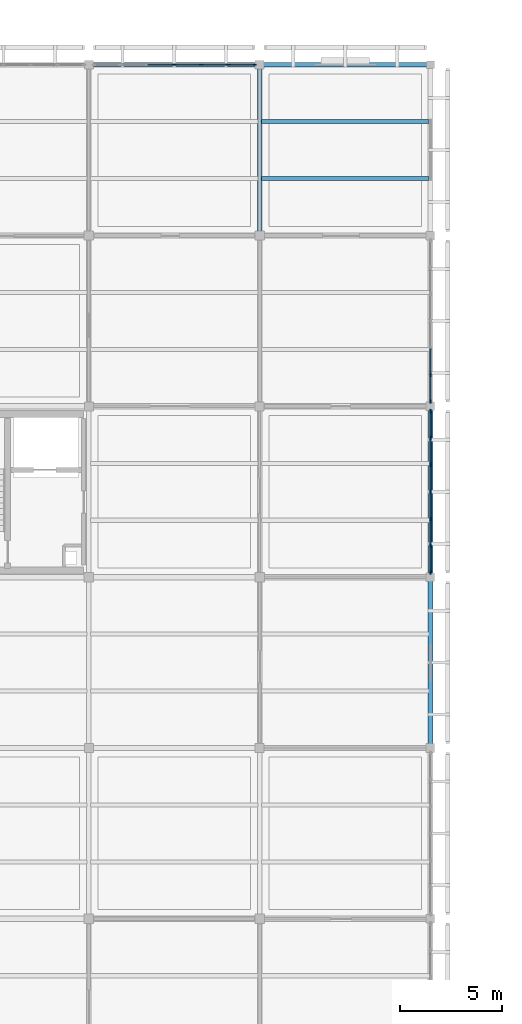
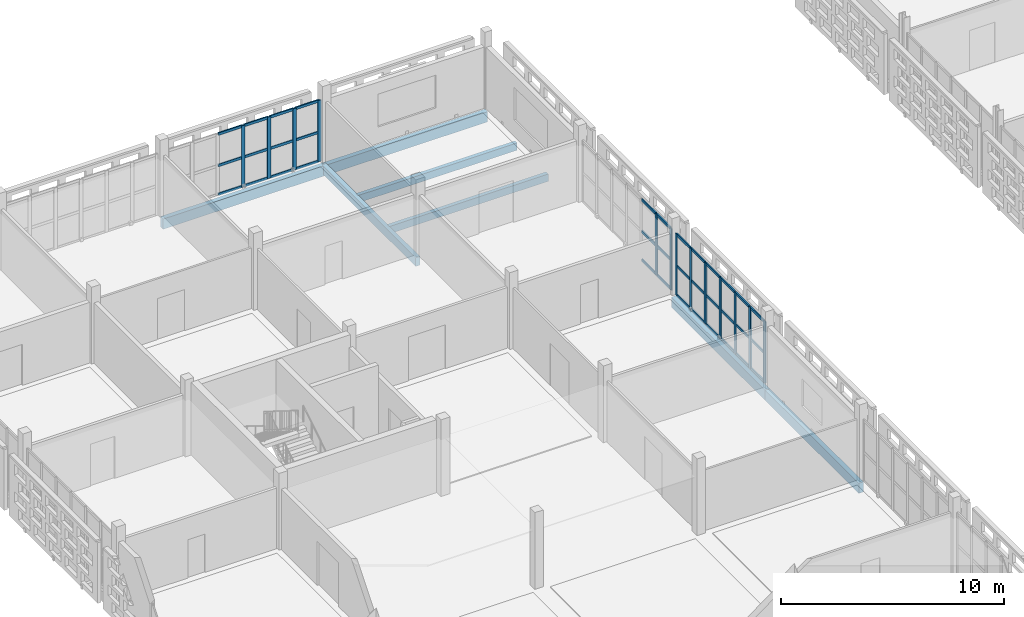
# One storey, part 48 of 140: 49 members, 7 beams, 3 elements without a shape of their own.
"""IFC4 building model written with IfcOpenShell, lengths in metres."""

from ifc_helpers import new_model, si_unit, direction, frame, origin, origin_2d, place, context, subcontext, project, spatial, rectangle, extrude, material, layer, layer_set, material_profile, profile_set, type_object, element, aggregate, save


model = new_model("IFC4")

# Units and contexts
model_context = context("Model", 3, precision=1e-05, world=origin(), true_north=direction((0.0, 1.0)))
body_context = subcontext(model_context, "Body", "Model", "MODEL_VIEW")
ifc_project = project(units=[si_unit("LENGTHUNIT", "METRE"), si_unit("AREAUNIT", "SQUARE_METRE"), si_unit("VOLUMEUNIT", "CUBIC_METRE"), si_unit("PLANEANGLEUNIT", "RADIAN"), si_unit("MASSUNIT", "GRAM", prefix="KILO")], contexts=[model_context])

# Site, building, storey
site_placement = place(None, origin())
site = spatial("IfcSite", under=ifc_project, at=site_placement, CompositionType="ELEMENT")
building_placement = place(site_placement, origin())
building = spatial("IfcBuilding", under=site, at=building_placement, Name="Varnapada Polytechnic", CompositionType="ELEMENT")
storey_placement = place(building_placement, frame((0.0, 0.0, 13.800048828125)))
storey = spatial("IfcBuildingStorey", under=building, at=storey_placement, Name="L03", CompositionType="ELEMENT", Elevation=13.800048828125)

# Beams
ifc_material_1 = material(Name="Glulam GL32h", Category="wood")
ifc_material_profile_1 = material_profile(ifc_material_1, rectangle(XDim=0.199951171875, YDim=0.39990234375, at=origin_2d()), Name="GL 200x400")
ifc_profile_set_1 = profile_set([ifc_material_profile_1], Name="Glulam GL32h")
beam_type_1 = type_object("IfcBeamType", Name="Library/laboratory glulam floor joist GJ-01 (GL 200x400)", PredefinedType="JOIST", material=ifc_profile_set_1)
for number, where, z_axis, x_axis, name in (
    (1, (25.280029296875, 120.39990234375, -0.43994140625), (1.0, 0.0, 0.0), (0.0, 1.0, 0.0), "L03 floor joist 4/15.1"),
    (2, (25.280029296875, 123.199951171875, -0.43994140625), (1.0, 0.0, 0.0), (0.0, 1.0, 0.0), "L03 floor joist 4/15.2"),
):
    element("IfcBeam", number, at=place(storey_placement, frame(where, z_axis=z_axis, x_axis=x_axis)), inside=storey, type_object=beam_type_1, Name=name, PredefinedType="JOIST", context=body_context, shape_type="SweptSolid", body=[
        extrude(rectangle(XDim=0.199951171875, YDim=0.39990234375, at=origin_2d()), origin(), (0.0, 0.0, 1.0), 8.239990234375),
    ])

# Curtain wall, members
ifc_material_2 = material(Name="Double low-E laminated glass", Category="glass")
ifc_layer = layer(ifc_material_2, 0.179931640625)
ifc_layer_set = layer_set([ifc_layer], Name="Double low-E laminated glass")
curtain_wall_type = type_object("IfcCurtainWallType", Name="Curtain Wall CW-03", PredefinedType="NOTDEFINED", material=ifc_layer_set)
curtain_wall_1_placement = place(storey_placement, origin())
curtain_wall_1 = element("IfcCurtainWall", 3, at=curtain_wall_1_placement, inside=storey, type_object=curtain_wall_type, Name="L03 unitised curtain wall CW-03 (215)", PredefinedType="NOTDEFINED")
ifc_material_3 = material(Name="Anodised aluminium", Category="aluminium")
ifc_material_profile_2 = material_profile(ifc_material_3, rectangle(XDim=0.06494140625, YDim=0.179931640625, at=origin_2d()), Name="ALU M65x180")
ifc_profile_set_2 = profile_set([ifc_material_profile_2], Name="Anodised aluminium")
member_type_1 = type_object("IfcMemberType", Name="Mullion M-02", PredefinedType="MULLION", material=ifc_profile_set_2)
member_1_placement = place(storey_placement, frame((21.0, 126.0, 0.0), z_axis=(0.0, 0.0, 1.0), x_axis=(0.0, 1.0, 0.0)))
member_1 = element("IfcMember", 4, at=member_1_placement, type_object=member_type_1, Name="CW-03 mullion 4", PredefinedType="MULLION", context=body_context, shape_type="SweptSolid", body=[
    extrude(rectangle(XDim=0.06494140625, YDim=0.179931640625, at=origin_2d()), origin(), (0.0, 0.0, 1.0), 3.35986328125),
])
member_2_placement = place(storey_placement, frame((22.32666015625, 126.0, 0.0), z_axis=(0.0, 0.0, 1.0), x_axis=(0.0, 1.0, 0.0)))
member_2 = element("IfcMember", 5, at=member_2_placement, type_object=member_type_1, Name="CW-03 mullion 5", PredefinedType="MULLION", context=body_context, shape_type="SweptSolid", body=[
    extrude(rectangle(XDim=0.06494140625, YDim=0.179931640625, at=origin_2d()), origin(), (0.0, 0.0, 1.0), 3.35986328125),
])
member_3_placement = place(storey_placement, frame((23.6533203125, 126.0, 0.0), z_axis=(0.0, 0.0, 1.0), x_axis=(0.0, 1.0, 0.0)))
member_3 = element("IfcMember", 6, at=member_3_placement, type_object=member_type_1, Name="CW-03 mullion 6", PredefinedType="MULLION", context=body_context, shape_type="SweptSolid", body=[
    extrude(rectangle(XDim=0.06494140625, YDim=0.179931640625, at=origin_2d()), origin(), (0.0, 0.0, 1.0), 3.35986328125),
])
member_4_placement = place(storey_placement, frame((24.947509765625, 126.0, 0.0), z_axis=(0.0, 0.0, 1.0), x_axis=(0.0, 1.0, 0.0)))
member_4 = element("IfcMember", 7, at=member_4_placement, type_object=member_type_1, Name="CW-03 mullion 7", PredefinedType="MULLION", context=body_context, shape_type="SweptSolid", body=[
    extrude(rectangle(XDim=0.06494140625, YDim=0.179931640625, at=origin_2d()), origin(), (0.0, 0.0, 1.0), 3.35986328125),
])

curtain_wall_2_placement = place(storey_placement, origin())
curtain_wall_2 = element("IfcCurtainWall", 8, at=curtain_wall_2_placement, inside=storey, type_object=curtain_wall_type, Name="L03 unitised curtain wall CW-03 (221)", PredefinedType="NOTDEFINED")
member_5_placement = place(storey_placement, frame((33.60009765625, 108.95751953125, 0.0), z_axis=(0.0, 0.0, 1.0), x_axis=(1.0, 0.0, 0.0)))
member_5 = element("IfcMember", 9, at=member_5_placement, type_object=member_type_1, Name="CW-03 mullion 1", PredefinedType="MULLION", context=body_context, shape_type="SweptSolid", body=[
    extrude(rectangle(XDim=0.06494140625, YDim=0.179931640625, at=origin_2d()), origin(), (0.0, 0.0, 1.0), 3.35986328125),
])
member_6_placement = place(storey_placement, frame((33.60009765625, 107.659912109375, 0.0), z_axis=(0.0, 0.0, 1.0), x_axis=(1.0, 0.0, 0.0)))
member_6 = element("IfcMember", 10, at=member_6_placement, type_object=member_type_1, Name="CW-03 mullion 2", PredefinedType="MULLION", context=body_context, shape_type="SweptSolid", body=[
    extrude(rectangle(XDim=0.06494140625, YDim=0.179931640625, at=origin_2d()), origin(), (0.0, 0.0, 1.0), 3.35986328125),
])
member_7_placement = place(storey_placement, frame((33.60009765625, 106.330078125, 0.0), z_axis=(0.0, 0.0, 1.0), x_axis=(1.0, 0.0, 0.0)))
member_7 = element("IfcMember", 11, at=member_7_placement, type_object=member_type_1, Name="CW-03 mullion 3", PredefinedType="MULLION", context=body_context, shape_type="SweptSolid", body=[
    extrude(rectangle(XDim=0.06494140625, YDim=0.179931640625, at=origin_2d()), origin(), (0.0, 0.0, 1.0), 3.35986328125),
])
member_8_placement = place(storey_placement, frame((33.60009765625, 105.0, 0.0), z_axis=(0.0, 0.0, 1.0), x_axis=(1.0, 0.0, 0.0)))
member_8 = element("IfcMember", 12, at=member_8_placement, type_object=member_type_1, Name="CW-03 mullion 4", PredefinedType="MULLION", context=body_context, shape_type="SweptSolid", body=[
    extrude(rectangle(XDim=0.06494140625, YDim=0.179931640625, at=origin_2d()), origin(), (0.0, 0.0, 1.0), 3.35986328125),
])
member_9_placement = place(storey_placement, frame((33.60009765625, 103.669921875, 0.0), z_axis=(0.0, 0.0, 1.0), x_axis=(1.0, 0.0, 0.0)))
member_9 = element("IfcMember", 13, at=member_9_placement, type_object=member_type_1, Name="CW-03 mullion 5", PredefinedType="MULLION", context=body_context, shape_type="SweptSolid", body=[
    extrude(rectangle(XDim=0.06494140625, YDim=0.179931640625, at=origin_2d()), origin(), (0.0, 0.0, 1.0), 3.35986328125),
])
member_10_placement = place(storey_placement, frame((33.60009765625, 102.340087890625, 0.0), z_axis=(0.0, 0.0, 1.0), x_axis=(1.0, 0.0, 0.0)))
member_10 = element("IfcMember", 14, at=member_10_placement, type_object=member_type_1, Name="CW-03 mullion 6", PredefinedType="MULLION", context=body_context, shape_type="SweptSolid", body=[
    extrude(rectangle(XDim=0.06494140625, YDim=0.179931640625, at=origin_2d()), origin(), (0.0, 0.0, 1.0), 3.35986328125),
])
member_11_placement = place(storey_placement, frame((33.60009765625, 101.04248046875, 0.0), z_axis=(0.0, 0.0, 1.0), x_axis=(1.0, 0.0, 0.0)))
member_11 = element("IfcMember", 15, at=member_11_placement, type_object=member_type_1, Name="CW-03 mullion 7", PredefinedType="MULLION", context=body_context, shape_type="SweptSolid", body=[
    extrude(rectangle(XDim=0.06494140625, YDim=0.179931640625, at=origin_2d()), origin(), (0.0, 0.0, 1.0), 3.35986328125),
])

curtain_wall_3_placement = place(storey_placement, origin())
curtain_wall_3 = element("IfcCurtainWall", 16, at=curtain_wall_3_placement, inside=storey, type_object=curtain_wall_type, Name="L03 unitised curtain wall CW-03 (222)", PredefinedType="NOTDEFINED")
member_12_placement = place(storey_placement, frame((33.60009765625, 110.739990234375, 0.0), z_axis=(0.0, 0.0, 1.0), x_axis=(1.0, 0.0, 0.0)))
member_12 = element("IfcMember", 17, at=member_12_placement, type_object=member_type_1, Name="CW-03 mullion 6", PredefinedType="MULLION", context=body_context, shape_type="SweptSolid", body=[
    extrude(rectangle(XDim=0.06494140625, YDim=0.179931640625, at=origin_2d()), origin(), (0.0, 0.0, 1.0), 3.35986328125),
])
member_13_placement = place(storey_placement, frame((33.60009765625, 109.4423828125, 0.0), z_axis=(0.0, 0.0, 1.0), x_axis=(1.0, 0.0, 0.0)))
member_13 = element("IfcMember", 18, at=member_13_placement, type_object=member_type_1, Name="CW-03 mullion 7", PredefinedType="MULLION", context=body_context, shape_type="SweptSolid", body=[
    extrude(rectangle(XDim=0.06494140625, YDim=0.179931640625, at=origin_2d()), origin(), (0.0, 0.0, 1.0), 3.35986328125),
])

# Beams
ifc_material_profile_3 = material_profile(ifc_material_1, rectangle(XDim=0.239990234375, YDim=0.56005859375, at=origin_2d()), Name="GL 240x560")
ifc_profile_set_3 = profile_set([ifc_material_profile_3], Name="Glulam GL32h")
beam_type_2 = type_object("IfcBeamType", Name="Perimeter glulam spandrel beam SP-02 (GL 240x560)", PredefinedType="SPANDREL", material=ifc_profile_set_3)
beam_1_placement = place(storey_placement, frame((16.800048828125, 126.0, -0.52001953125), z_axis=(1.0, 0.0, 0.0), x_axis=(0.0, 1.0, 0.0)))
element("IfcBeam", 19, at=beam_1_placement, inside=storey, type_object=beam_type_2, Name="L03 beam X 3-4 at Y16", PredefinedType="SPANDREL", context=body_context, shape_type="SweptSolid", body=[
    extrude(rectangle(XDim=0.239990234375, YDim=0.56005859375, at=origin_2d()), origin(), (0.0, 0.0, 1.0), 8.39990234375),
])
for number, where, z_axis, x_axis, name in (
    (20, (25.199951171875, 126.0, -0.52001953125), (1.0, 0.0, 0.0), (0.0, 1.0, 0.0), "L03 beam X 4-5 at Y16"),
    (21, (33.60009765625, 92.39990234375, -0.52001953125), (0.0, 1.0, 0.0), (-1.0, 0.0, 0.0), "L03 beam Y 12-13 at X5"),
):
    element("IfcBeam", number, at=place(storey_placement, frame(where, z_axis=z_axis, x_axis=x_axis)), inside=storey, type_object=beam_type_2, Name=name, PredefinedType="SPANDREL", context=body_context, shape_type="SweptSolid", body=[
        extrude(rectangle(XDim=0.239990234375, YDim=0.56005859375, at=origin_2d()), origin(), (0.0, 0.0, 1.0), 8.400146484375),
    ])
beam_2_placement = place(storey_placement, frame((33.60009765625, 100.800048828125, -0.52001953125), z_axis=(0.0, 1.0, 0.0), x_axis=(-1.0, 0.0, 0.0)))
element("IfcBeam", 22, at=beam_2_placement, inside=storey, type_object=beam_type_2, Name="L03 beam Y 13-14 at X5", PredefinedType="SPANDREL", context=body_context, shape_type="SweptSolid", body=[
    extrude(rectangle(XDim=0.239990234375, YDim=0.56005859375, at=origin_2d()), origin(), (0.0, 0.0, 1.0), 8.39990234375),
])

# Member
ifc_material_profile_4 = material_profile(ifc_material_3, rectangle(XDim=0.06494140625, YDim=0.139892578125, at=origin_2d()), Name="ALU T65x140")
ifc_profile_set_4 = profile_set([ifc_material_profile_4], Name="Anodised aluminium")
member_type_2 = type_object("IfcMemberType", Name="Transom T-02", PredefinedType="USERDEFINED", material=ifc_profile_set_4)
member_14_placement = place(storey_placement, frame((19.705810546875, 126.0, 0.032470703125), z_axis=(1.0, 0.0, 0.0), x_axis=(0.0, 1.0, 0.0)))
member_14 = element("IfcMember", 23, at=member_14_placement, type_object=member_type_2, Name="CW-03 transom 3.1", ObjectType="TRANSOM", PredefinedType="USERDEFINED", context=body_context, shape_type="SweptSolid", body=[
    extrude(rectangle(XDim=0.06494140625, YDim=0.139892578125, at=origin_2d()), origin(), (0.0, 0.0, 1.0), 1.26171875),
])

member_15_placement = place(storey_placement, frame((19.705810546875, 126.0, 1.61279296875), z_axis=(1.0, 0.0, 0.0), x_axis=(0.0, 1.0, 0.0)))
member_15 = element("IfcMember", 24, at=member_15_placement, type_object=member_type_2, Name="CW-03 transom 3.2", ObjectType="TRANSOM", PredefinedType="USERDEFINED", context=body_context, shape_type="SweptSolid", body=[
    extrude(rectangle(XDim=0.06494140625, YDim=0.139892578125, at=origin_2d()), origin(), (0.0, 0.0, 1.0), 1.26171875),
])

member_16_placement = place(storey_placement, frame((19.705810546875, 126.0, 3.327392578125), z_axis=(1.0, 0.0, 0.0), x_axis=(0.0, 1.0, 0.0)))
member_16 = element("IfcMember", 25, at=member_16_placement, type_object=member_type_2, Name="CW-03 transom 3.3", ObjectType="TRANSOM", PredefinedType="USERDEFINED", context=body_context, shape_type="SweptSolid", body=[
    extrude(rectangle(XDim=0.06494140625, YDim=0.139892578125, at=origin_2d()), origin(), (0.0, 0.0, 1.0), 1.26171875),
])

member_17_placement = place(storey_placement, frame((21.032470703125, 126.0, 0.032470703125), z_axis=(1.0, 0.0, 0.0), x_axis=(0.0, 1.0, 0.0)))
member_17 = element("IfcMember", 26, at=member_17_placement, type_object=member_type_2, Name="CW-03 transom 4.1", ObjectType="TRANSOM", PredefinedType="USERDEFINED", context=body_context, shape_type="SweptSolid", body=[
    extrude(rectangle(XDim=0.06494140625, YDim=0.139892578125, at=origin_2d()), origin(), (0.0, 0.0, 1.0), 1.26171875),
])

member_18_placement = place(storey_placement, frame((21.032470703125, 126.0, 1.61279296875), z_axis=(1.0, 0.0, 0.0), x_axis=(0.0, 1.0, 0.0)))
member_18 = element("IfcMember", 27, at=member_18_placement, type_object=member_type_2, Name="CW-03 transom 4.2", ObjectType="TRANSOM", PredefinedType="USERDEFINED", context=body_context, shape_type="SweptSolid", body=[
    extrude(rectangle(XDim=0.06494140625, YDim=0.139892578125, at=origin_2d()), origin(), (0.0, 0.0, 1.0), 1.26171875),
])

member_19_placement = place(storey_placement, frame((21.032470703125, 126.0, 3.327392578125), z_axis=(1.0, 0.0, 0.0), x_axis=(0.0, 1.0, 0.0)))
member_19 = element("IfcMember", 28, at=member_19_placement, type_object=member_type_2, Name="CW-03 transom 4.3", ObjectType="TRANSOM", PredefinedType="USERDEFINED", context=body_context, shape_type="SweptSolid", body=[
    extrude(rectangle(XDim=0.06494140625, YDim=0.139892578125, at=origin_2d()), origin(), (0.0, 0.0, 1.0), 1.26171875),
])

member_20_placement = place(storey_placement, frame((22.359130859375, 126.0, 0.032470703125), z_axis=(1.0, 0.0, 0.0), x_axis=(0.0, 1.0, 0.0)))
member_20 = element("IfcMember", 29, at=member_20_placement, type_object=member_type_2, Name="CW-03 transom 5.1", ObjectType="TRANSOM", PredefinedType="USERDEFINED", context=body_context, shape_type="SweptSolid", body=[
    extrude(rectangle(XDim=0.06494140625, YDim=0.139892578125, at=origin_2d()), origin(), (0.0, 0.0, 1.0), 1.26171875),
])

member_21_placement = place(storey_placement, frame((22.359130859375, 126.0, 1.61279296875), z_axis=(1.0, 0.0, 0.0), x_axis=(0.0, 1.0, 0.0)))
member_21 = element("IfcMember", 30, at=member_21_placement, type_object=member_type_2, Name="CW-03 transom 5.2", ObjectType="TRANSOM", PredefinedType="USERDEFINED", context=body_context, shape_type="SweptSolid", body=[
    extrude(rectangle(XDim=0.06494140625, YDim=0.139892578125, at=origin_2d()), origin(), (0.0, 0.0, 1.0), 1.26171875),
])

member_22_placement = place(storey_placement, frame((22.359130859375, 126.0, 3.327392578125), z_axis=(1.0, 0.0, 0.0), x_axis=(0.0, 1.0, 0.0)))
member_22 = element("IfcMember", 31, at=member_22_placement, type_object=member_type_2, Name="CW-03 transom 5.3", ObjectType="TRANSOM", PredefinedType="USERDEFINED", context=body_context, shape_type="SweptSolid", body=[
    extrude(rectangle(XDim=0.06494140625, YDim=0.139892578125, at=origin_2d()), origin(), (0.0, 0.0, 1.0), 1.26171875),
])

member_23_placement = place(storey_placement, frame((23.685791015625, 126.0, 0.032470703125), z_axis=(1.0, 0.0, 0.0), x_axis=(0.0, 1.0, 0.0)))
member_23 = element("IfcMember", 32, at=member_23_placement, type_object=member_type_2, Name="CW-03 transom 6.1", ObjectType="TRANSOM", PredefinedType="USERDEFINED", context=body_context, shape_type="SweptSolid", body=[
    extrude(rectangle(XDim=0.06494140625, YDim=0.139892578125, at=origin_2d()), origin(), (0.0, 0.0, 1.0), 1.229248046875),
])

member_24_placement = place(storey_placement, frame((23.685791015625, 126.0, 1.61279296875), z_axis=(1.0, 0.0, 0.0), x_axis=(0.0, 1.0, 0.0)))
member_24 = element("IfcMember", 33, at=member_24_placement, type_object=member_type_2, Name="CW-03 transom 6.2", ObjectType="TRANSOM", PredefinedType="USERDEFINED", context=body_context, shape_type="SweptSolid", body=[
    extrude(rectangle(XDim=0.06494140625, YDim=0.139892578125, at=origin_2d()), origin(), (0.0, 0.0, 1.0), 1.229248046875),
])

member_25_placement = place(storey_placement, frame((23.685791015625, 126.0, 3.327392578125), z_axis=(1.0, 0.0, 0.0), x_axis=(0.0, 1.0, 0.0)))
member_25 = element("IfcMember", 34, at=member_25_placement, type_object=member_type_2, Name="CW-03 transom 6.3", ObjectType="TRANSOM", PredefinedType="USERDEFINED", context=body_context, shape_type="SweptSolid", body=[
    extrude(rectangle(XDim=0.06494140625, YDim=0.139892578125, at=origin_2d()), origin(), (0.0, 0.0, 1.0), 1.229248046875),
])

aggregate(curtain_wall_1, [member_1, member_2, member_3, member_4, member_14, member_15, member_16, member_17, member_18, member_19, member_20, member_21, member_22, member_23, member_24, member_25])

member_26_placement = place(storey_placement, frame((33.60009765625, 108.925048828125, 0.032470703125), z_axis=(0.0, -1.0, 0.0), x_axis=(1.0, 0.0, 0.0)))
member_26 = element("IfcMember", 35, at=member_26_placement, type_object=member_type_2, Name="CW-03 transom 1.1", ObjectType="TRANSOM", PredefinedType="USERDEFINED", context=body_context, shape_type="SweptSolid", body=[
    extrude(rectangle(XDim=0.06494140625, YDim=0.139892578125, at=origin_2d()), origin(), (0.0, 0.0, 1.0), 1.232666015625),
])

member_27_placement = place(storey_placement, frame((33.60009765625, 108.925048828125, 1.61279296875), z_axis=(0.0, -1.0, 0.0), x_axis=(1.0, 0.0, 0.0)))
member_27 = element("IfcMember", 36, at=member_27_placement, type_object=member_type_2, Name="CW-03 transom 1.2", ObjectType="TRANSOM", PredefinedType="USERDEFINED", context=body_context, shape_type="SweptSolid", body=[
    extrude(rectangle(XDim=0.06494140625, YDim=0.139892578125, at=origin_2d()), origin(), (0.0, 0.0, 1.0), 1.232666015625),
])

member_28_placement = place(storey_placement, frame((33.60009765625, 108.925048828125, 3.327392578125), z_axis=(0.0, -1.0, 0.0), x_axis=(1.0, 0.0, 0.0)))
member_28 = element("IfcMember", 37, at=member_28_placement, type_object=member_type_2, Name="CW-03 transom 1.3", ObjectType="TRANSOM", PredefinedType="USERDEFINED", context=body_context, shape_type="SweptSolid", body=[
    extrude(rectangle(XDim=0.06494140625, YDim=0.139892578125, at=origin_2d()), origin(), (0.0, 0.0, 1.0), 1.232666015625),
])

member_29_placement = place(storey_placement, frame((33.60009765625, 107.62744140625, 0.032470703125), z_axis=(0.0, -1.0, 0.0), x_axis=(1.0, 0.0, 0.0)))
member_29 = element("IfcMember", 38, at=member_29_placement, type_object=member_type_2, Name="CW-03 transom 2.1", ObjectType="TRANSOM", PredefinedType="USERDEFINED", context=body_context, shape_type="SweptSolid", body=[
    extrude(rectangle(XDim=0.06494140625, YDim=0.139892578125, at=origin_2d()), origin(), (0.0, 0.0, 1.0), 1.264892578125),
])

member_30_placement = place(storey_placement, frame((33.60009765625, 107.62744140625, 1.61279296875), z_axis=(0.0, -1.0, 0.0), x_axis=(1.0, 0.0, 0.0)))
member_30 = element("IfcMember", 39, at=member_30_placement, type_object=member_type_2, Name="CW-03 transom 2.2", ObjectType="TRANSOM", PredefinedType="USERDEFINED", context=body_context, shape_type="SweptSolid", body=[
    extrude(rectangle(XDim=0.06494140625, YDim=0.139892578125, at=origin_2d()), origin(), (0.0, 0.0, 1.0), 1.264892578125),
])

member_31_placement = place(storey_placement, frame((33.60009765625, 107.62744140625, 3.327392578125), z_axis=(0.0, -1.0, 0.0), x_axis=(1.0, 0.0, 0.0)))
member_31 = element("IfcMember", 40, at=member_31_placement, type_object=member_type_2, Name="CW-03 transom 2.3", ObjectType="TRANSOM", PredefinedType="USERDEFINED", context=body_context, shape_type="SweptSolid", body=[
    extrude(rectangle(XDim=0.06494140625, YDim=0.139892578125, at=origin_2d()), origin(), (0.0, 0.0, 1.0), 1.264892578125),
])

member_32_placement = place(storey_placement, frame((33.60009765625, 106.297607421875, 0.032470703125), z_axis=(0.0, -1.0, 0.0), x_axis=(1.0, 0.0, 0.0)))
member_32 = element("IfcMember", 41, at=member_32_placement, type_object=member_type_2, Name="CW-03 transom 3.1", ObjectType="TRANSOM", PredefinedType="USERDEFINED", context=body_context, shape_type="SweptSolid", body=[
    extrude(rectangle(XDim=0.06494140625, YDim=0.139892578125, at=origin_2d()), origin(), (0.0, 0.0, 1.0), 1.26513671875),
])

member_33_placement = place(storey_placement, frame((33.60009765625, 106.297607421875, 1.61279296875), z_axis=(0.0, -1.0, 0.0), x_axis=(1.0, 0.0, 0.0)))
member_33 = element("IfcMember", 42, at=member_33_placement, type_object=member_type_2, Name="CW-03 transom 3.2", ObjectType="TRANSOM", PredefinedType="USERDEFINED", context=body_context, shape_type="SweptSolid", body=[
    extrude(rectangle(XDim=0.06494140625, YDim=0.139892578125, at=origin_2d()), origin(), (0.0, 0.0, 1.0), 1.26513671875),
])

member_34_placement = place(storey_placement, frame((33.60009765625, 106.297607421875, 3.327392578125), z_axis=(0.0, -1.0, 0.0), x_axis=(1.0, 0.0, 0.0)))
member_34 = element("IfcMember", 43, at=member_34_placement, type_object=member_type_2, Name="CW-03 transom 3.3", ObjectType="TRANSOM", PredefinedType="USERDEFINED", context=body_context, shape_type="SweptSolid", body=[
    extrude(rectangle(XDim=0.06494140625, YDim=0.139892578125, at=origin_2d()), origin(), (0.0, 0.0, 1.0), 1.26513671875),
])

member_35_placement = place(storey_placement, frame((33.60009765625, 104.967529296875, 0.032470703125), z_axis=(0.0, -1.0, 0.0), x_axis=(1.0, 0.0, 0.0)))
member_35 = element("IfcMember", 44, at=member_35_placement, type_object=member_type_2, Name="CW-03 transom 4.1", ObjectType="TRANSOM", PredefinedType="USERDEFINED", context=body_context, shape_type="SweptSolid", body=[
    extrude(rectangle(XDim=0.06494140625, YDim=0.139892578125, at=origin_2d()), origin(), (0.0, 0.0, 1.0), 1.26513671875),
])

member_36_placement = place(storey_placement, frame((33.60009765625, 104.967529296875, 1.61279296875), z_axis=(0.0, -1.0, 0.0), x_axis=(1.0, 0.0, 0.0)))
member_36 = element("IfcMember", 45, at=member_36_placement, type_object=member_type_2, Name="CW-03 transom 4.2", ObjectType="TRANSOM", PredefinedType="USERDEFINED", context=body_context, shape_type="SweptSolid", body=[
    extrude(rectangle(XDim=0.06494140625, YDim=0.139892578125, at=origin_2d()), origin(), (0.0, 0.0, 1.0), 1.26513671875),
])

member_37_placement = place(storey_placement, frame((33.60009765625, 104.967529296875, 3.327392578125), z_axis=(0.0, -1.0, 0.0), x_axis=(1.0, 0.0, 0.0)))
member_37 = element("IfcMember", 46, at=member_37_placement, type_object=member_type_2, Name="CW-03 transom 4.3", ObjectType="TRANSOM", PredefinedType="USERDEFINED", context=body_context, shape_type="SweptSolid", body=[
    extrude(rectangle(XDim=0.06494140625, YDim=0.139892578125, at=origin_2d()), origin(), (0.0, 0.0, 1.0), 1.26513671875),
])

member_38_placement = place(storey_placement, frame((33.60009765625, 103.637451171875, 0.032470703125), z_axis=(0.0, -1.0, 0.0), x_axis=(1.0, 0.0, 0.0)))
member_38 = element("IfcMember", 47, at=member_38_placement, type_object=member_type_2, Name="CW-03 transom 5.1", ObjectType="TRANSOM", PredefinedType="USERDEFINED", context=body_context, shape_type="SweptSolid", body=[
    extrude(rectangle(XDim=0.06494140625, YDim=0.139892578125, at=origin_2d()), origin(), (0.0, 0.0, 1.0), 1.264892578125),
])

member_39_placement = place(storey_placement, frame((33.60009765625, 103.637451171875, 1.61279296875), z_axis=(0.0, -1.0, 0.0), x_axis=(1.0, 0.0, 0.0)))
member_39 = element("IfcMember", 48, at=member_39_placement, type_object=member_type_2, Name="CW-03 transom 5.2", ObjectType="TRANSOM", PredefinedType="USERDEFINED", context=body_context, shape_type="SweptSolid", body=[
    extrude(rectangle(XDim=0.06494140625, YDim=0.139892578125, at=origin_2d()), origin(), (0.0, 0.0, 1.0), 1.264892578125),
])

member_40_placement = place(storey_placement, frame((33.60009765625, 103.637451171875, 3.327392578125), z_axis=(0.0, -1.0, 0.0), x_axis=(1.0, 0.0, 0.0)))
member_40 = element("IfcMember", 49, at=member_40_placement, type_object=member_type_2, Name="CW-03 transom 5.3", ObjectType="TRANSOM", PredefinedType="USERDEFINED", context=body_context, shape_type="SweptSolid", body=[
    extrude(rectangle(XDim=0.06494140625, YDim=0.139892578125, at=origin_2d()), origin(), (0.0, 0.0, 1.0), 1.264892578125),
])

member_41_placement = place(storey_placement, frame((33.60009765625, 102.3076171875, 0.032470703125), z_axis=(0.0, -1.0, 0.0), x_axis=(1.0, 0.0, 0.0)))
member_41 = element("IfcMember", 50, at=member_41_placement, type_object=member_type_2, Name="CW-03 transom 6.1", ObjectType="TRANSOM", PredefinedType="USERDEFINED", context=body_context, shape_type="SweptSolid", body=[
    extrude(rectangle(XDim=0.06494140625, YDim=0.139892578125, at=origin_2d()), origin(), (0.0, 0.0, 1.0), 1.232666015625),
])

member_42_placement = place(storey_placement, frame((33.60009765625, 102.3076171875, 1.61279296875), z_axis=(0.0, -1.0, 0.0), x_axis=(1.0, 0.0, 0.0)))
member_42 = element("IfcMember", 51, at=member_42_placement, type_object=member_type_2, Name="CW-03 transom 6.2", ObjectType="TRANSOM", PredefinedType="USERDEFINED", context=body_context, shape_type="SweptSolid", body=[
    extrude(rectangle(XDim=0.06494140625, YDim=0.139892578125, at=origin_2d()), origin(), (0.0, 0.0, 1.0), 1.232666015625),
])

member_43_placement = place(storey_placement, frame((33.60009765625, 102.3076171875, 3.327392578125), z_axis=(0.0, -1.0, 0.0), x_axis=(1.0, 0.0, 0.0)))
member_43 = element("IfcMember", 52, at=member_43_placement, type_object=member_type_2, Name="CW-03 transom 6.3", ObjectType="TRANSOM", PredefinedType="USERDEFINED", context=body_context, shape_type="SweptSolid", body=[
    extrude(rectangle(XDim=0.06494140625, YDim=0.139892578125, at=origin_2d()), origin(), (0.0, 0.0, 1.0), 1.232666015625),
])

aggregate(curtain_wall_2, [member_5, member_6, member_7, member_8, member_9, member_10, member_11, member_26, member_27, member_28, member_29, member_30, member_31, member_32, member_33, member_34, member_35, member_36, member_37, member_38, member_39, member_40, member_41, member_42, member_43])

member_44_placement = place(storey_placement, frame((33.60009765625, 112.03759765625, 0.032470703125), z_axis=(0.0, -1.0, 0.0), x_axis=(1.0, 0.0, 0.0)))
member_44 = element("IfcMember", 53, at=member_44_placement, type_object=member_type_2, Name="CW-03 transom 5.1", ObjectType="TRANSOM", PredefinedType="USERDEFINED", context=body_context, shape_type="SweptSolid", body=[
    extrude(rectangle(XDim=0.06494140625, YDim=0.139892578125, at=origin_2d()), origin(), (0.0, 0.0, 1.0), 1.26513671875),
])

member_45_placement = place(storey_placement, frame((33.60009765625, 112.03759765625, 1.61279296875), z_axis=(0.0, -1.0, 0.0), x_axis=(1.0, 0.0, 0.0)))
member_45 = element("IfcMember", 54, at=member_45_placement, type_object=member_type_2, Name="CW-03 transom 5.2", ObjectType="TRANSOM", PredefinedType="USERDEFINED", context=body_context, shape_type="SweptSolid", body=[
    extrude(rectangle(XDim=0.06494140625, YDim=0.139892578125, at=origin_2d()), origin(), (0.0, 0.0, 1.0), 1.26513671875),
])

member_46_placement = place(storey_placement, frame((33.60009765625, 112.03759765625, 3.327392578125), z_axis=(0.0, -1.0, 0.0), x_axis=(1.0, 0.0, 0.0)))
member_46 = element("IfcMember", 55, at=member_46_placement, type_object=member_type_2, Name="CW-03 transom 5.3", ObjectType="TRANSOM", PredefinedType="USERDEFINED", context=body_context, shape_type="SweptSolid", body=[
    extrude(rectangle(XDim=0.06494140625, YDim=0.139892578125, at=origin_2d()), origin(), (0.0, 0.0, 1.0), 1.26513671875),
])

member_47_placement = place(storey_placement, frame((33.60009765625, 110.70751953125, 0.032470703125), z_axis=(0.0, -1.0, 0.0), x_axis=(1.0, 0.0, 0.0)))
member_47 = element("IfcMember", 56, at=member_47_placement, type_object=member_type_2, Name="CW-03 transom 6.1", ObjectType="TRANSOM", PredefinedType="USERDEFINED", context=body_context, shape_type="SweptSolid", body=[
    extrude(rectangle(XDim=0.06494140625, YDim=0.139892578125, at=origin_2d()), origin(), (0.0, 0.0, 1.0), 1.232421875),
])

member_48_placement = place(storey_placement, frame((33.60009765625, 110.70751953125, 1.61279296875), z_axis=(0.0, -1.0, 0.0), x_axis=(1.0, 0.0, 0.0)))
member_48 = element("IfcMember", 57, at=member_48_placement, type_object=member_type_2, Name="CW-03 transom 6.2", ObjectType="TRANSOM", PredefinedType="USERDEFINED", context=body_context, shape_type="SweptSolid", body=[
    extrude(rectangle(XDim=0.06494140625, YDim=0.139892578125, at=origin_2d()), origin(), (0.0, 0.0, 1.0), 1.232421875),
])

member_49_placement = place(storey_placement, frame((33.60009765625, 110.70751953125, 3.327392578125), z_axis=(0.0, -1.0, 0.0), x_axis=(1.0, 0.0, 0.0)))
member_49 = element("IfcMember", 58, at=member_49_placement, type_object=member_type_2, Name="CW-03 transom 6.3", ObjectType="TRANSOM", PredefinedType="USERDEFINED", context=body_context, shape_type="SweptSolid", body=[
    extrude(rectangle(XDim=0.06494140625, YDim=0.139892578125, at=origin_2d()), origin(), (0.0, 0.0, 1.0), 1.232421875),
])

aggregate(curtain_wall_3, [member_12, member_13, member_44, member_45, member_46, member_47, member_48, member_49])

# Beam
ifc_material_profile_5 = material_profile(ifc_material_1, rectangle(XDim=0.219970703125, YDim=0.47998046875, at=origin_2d()), Name="GL 220x480")
ifc_profile_set_5 = profile_set([ifc_material_profile_5], Name="Glulam GL32h")
beam_type_3 = type_object("IfcBeamType", Name="Upper floor glulam tie beam GB-11 (GL 220x480)", PredefinedType="BEAM", material=ifc_profile_set_5)
beam_3_placement = place(storey_placement, frame((25.199951171875, 117.60009765625, -0.47998046875), z_axis=(0.0, 1.0, 0.0), x_axis=(-1.0, 0.0, 0.0)))
element("IfcBeam", 59, at=beam_3_placement, inside=storey, type_object=beam_type_3, Name="L03 beam Y 15-16 at X4", PredefinedType="BEAM", context=body_context, shape_type="SweptSolid", body=[
    extrude(rectangle(XDim=0.219970703125, YDim=0.47998046875, at=origin_2d()), origin(), (0.0, 0.0, 1.0), 8.39990234375),
])

save(model, "model.ifc")
